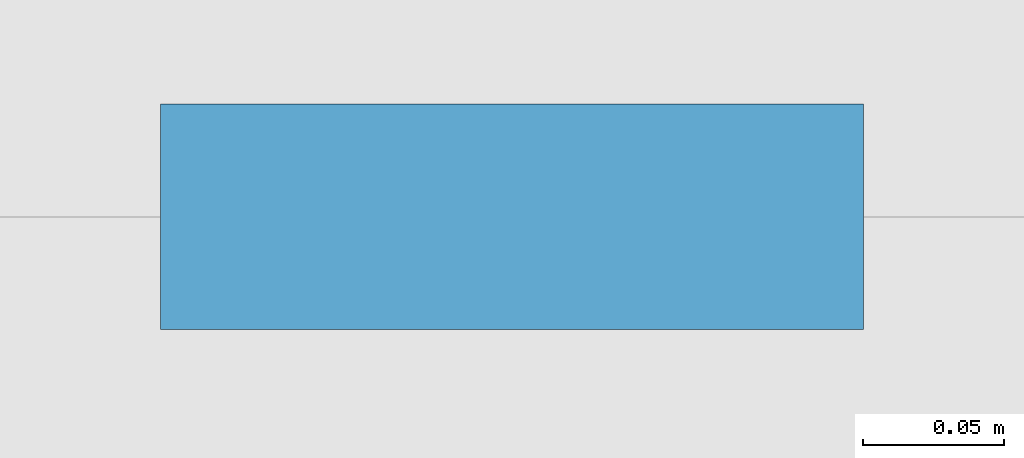
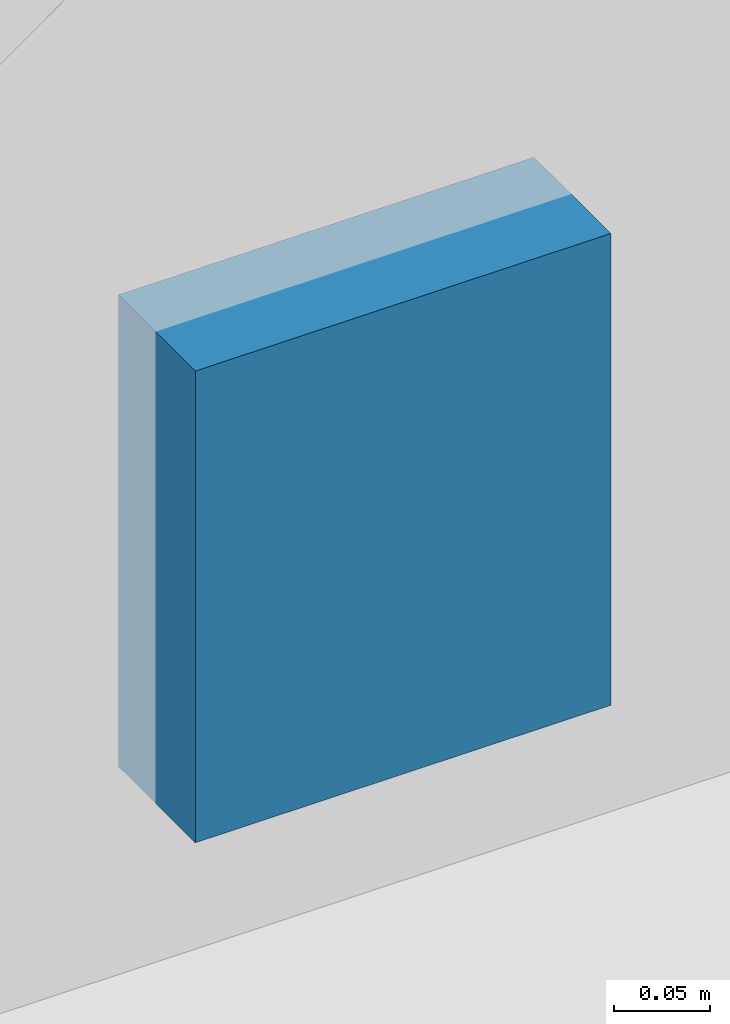
# One storey, part 80 of 177: 1 discrete accessory.
"""IFC4 building model written with IfcOpenShell, lengths in metres."""

from ifc_helpers import new_model, si_unit, direction, frame, origin, origin_2d, place, context, subcontext, project, spatial, rectangle, extrude, material, layer, layer_set, type_object, element, save


model = new_model("IFC4")

# Units and contexts
model_context = context("Model", 3, precision=1e-05, world=origin(), true_north=direction((0.0, 1.0)))
body_context = subcontext(model_context, "Body", "Model", "MODEL_VIEW")
ifc_project = project(units=[si_unit("LENGTHUNIT", "METRE"), si_unit("AREAUNIT", "SQUARE_METRE"), si_unit("VOLUMEUNIT", "CUBIC_METRE"), si_unit("PLANEANGLEUNIT", "RADIAN"), si_unit("MASSUNIT", "GRAM", prefix="KILO")], contexts=[model_context])

# Site, building, storey
site_placement = place(None, origin())
site = spatial("IfcSite", under=ifc_project, at=site_placement, CompositionType="ELEMENT")
building_placement = place(site_placement, origin())
building = spatial("IfcBuilding", under=site, at=building_placement, Name="Ogive Plaza Stadium", CompositionType="ELEMENT")
storey_placement = place(building_placement, frame((0.0, 0.0, 18.0)))
storey = spatial("IfcBuildingStorey", under=building, at=storey_placement, Name="L04", CompositionType="ELEMENT", Elevation=18.0)

# Discrete accessory
ifc_material = material(Name="Steel ASTM A572 Grade 50", Category="steel")
ifc_layer = layer(ifc_material, 0.080078125)
ifc_layer_set = layer_set([ifc_layer], Name="Steel ASTM A572 Grade 50")
discrete_accessory_type = type_object("IfcDiscreteAccessoryType", Name="Spandrel cladding bracket 250x300", PredefinedType="BRACKET", material=ifc_layer_set)
discrete_accessory_placement = place(storey_placement, frame((27.199951171875, 102.85009765625, -1.31005859375), z_axis=(0.0, 0.0, 1.0), x_axis=(1.0, 0.0, 0.0)))
element("IfcDiscreteAccessory", 1, at=discrete_accessory_placement, inside=storey, type_object=discrete_accessory_type, Name="SPANDREL BRACKET B36 L04", PredefinedType="BRACKET", context=body_context, shape_type="SweptSolid", body=[
    extrude(rectangle(XDim=0.25, YDim=0.080078125, at=origin_2d()), origin(), (0.0, 0.0, 1.0), 0.300048828125),
])

save(model, "model.ifc")
